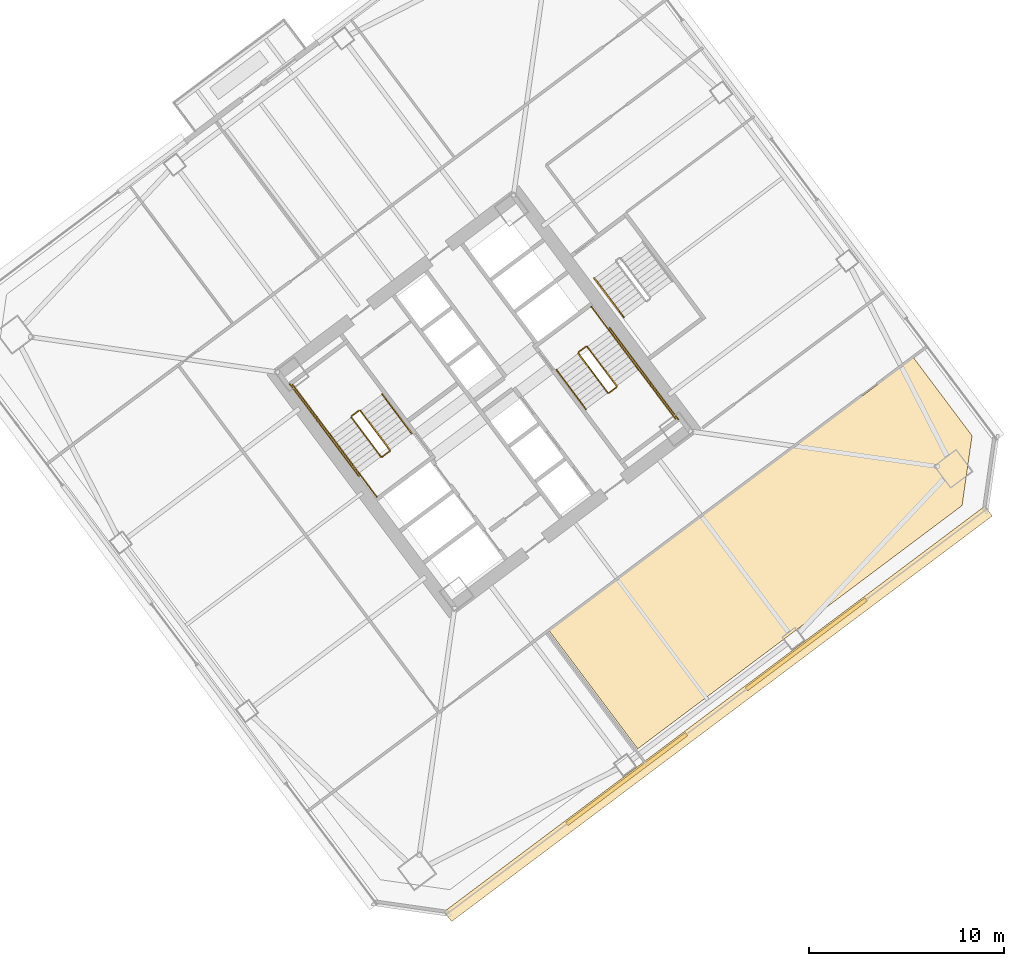
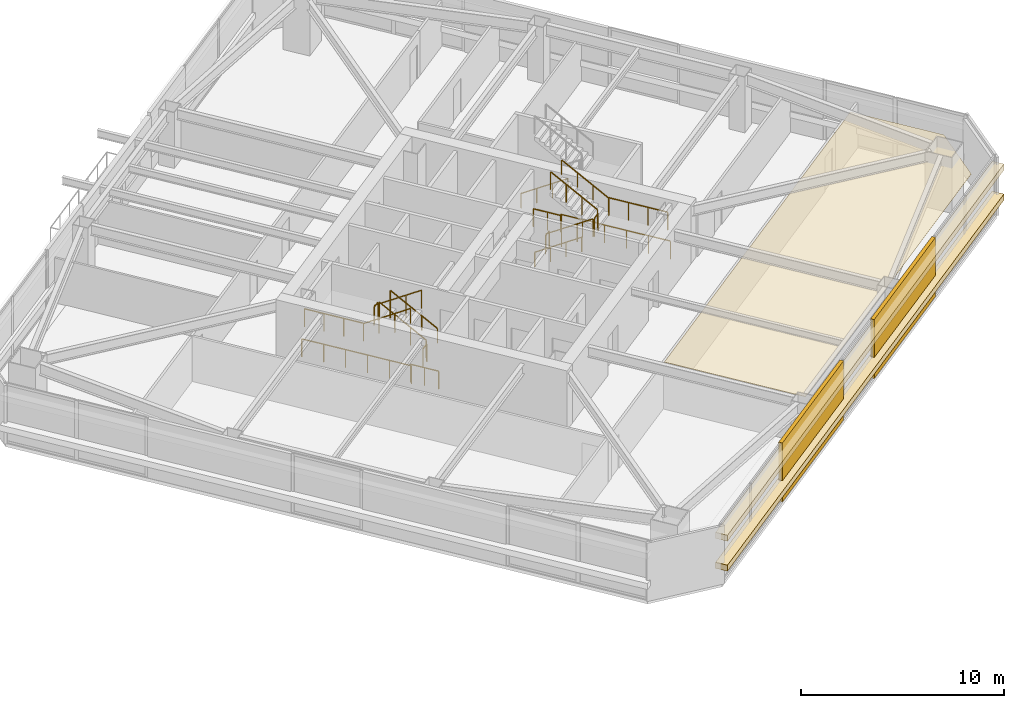
# One storey, part 41 of 44: 19 railings, 5 coverings.
"""IFC4 building model written with IfcOpenShell, lengths in metres."""

import ifcopenshell
import ifcopenshell.guid

model = None  # the IFC model being written
_history = None  # IfcOwnerHistory: only IFC2X3 demands one
_inside = {}  # id of a spatial element -> (the spatial element, [elements in it])
_under = {}  # id of a project, library or spatial element -> (it, [spatial elements below it])
_declared = {}  # id of a project -> (the project, [libraries it declares])
_typed = {}  # id of a type object -> (the type object, [elements of that type])
_made_of = {}  # id of a material, layer set ... -> (it, [elements and type objects made of it])


def new_model(schema):
    """Start an empty IFC model of exactly this schema.

    Asked for "IFC4X3", IfcOpenShell would pick the latest addendum, in which some entities
    have other attributes; the version numbers below select the first issue.
    IFC2X3 requires an IfcOwnerHistory on every rooted entity: one is made here for all.
    """
    global model, _history
    if schema == "IFC4X3":
        model = ifcopenshell.file(schema_version=(4, 3, 0, 0))
    else:
        model = ifcopenshell.file(schema=schema)
    _inside.clear()
    _under.clear()
    _declared.clear()
    _typed.clear()
    _made_of.clear()
    _history = None
    if model.schema == "IFC2X3":
        org = make("IfcOrganization", Name="unknown")
        user = make(
            "IfcPersonAndOrganization",
            ThePerson=make("IfcPerson", FamilyName="unknown"),
            TheOrganization=org,
        )
        app = make(
            "IfcApplication",
            ApplicationDeveloper=org,
            Version="unknown",
            ApplicationFullName="unknown",
            ApplicationIdentifier="unknown",
        )
        _history = make(
            "IfcOwnerHistory",
            OwningUser=user,
            OwningApplication=app,
            ChangeAction="ADDED",
            CreationDate=0,
        )
    return model


def make(cls, **values):
    """One entity of the class cls with the attributes given. An attribute that is None is left unset."""
    return model.create_entity(
        cls, **{name: value for name, value in values.items() if value is not None}
    )


def rooted(cls, **values):
    """An entity with a GlobalId (a new one), such as an element, a storey or a relation."""
    return make(cls, GlobalId=ifcopenshell.guid.new(), OwnerHistory=_history, **values)


def si_unit(unit_type, name, prefix=None):
    """IfcSIUnit, for example si_unit("LENGTHUNIT", "METRE", prefix="MILLI")."""
    return make("IfcSIUnit", UnitType=unit_type, Prefix=prefix, Name=name)


def assignment(units):
    """IfcUnitAssignment: the units of a project."""
    return None if units is None else make("IfcUnitAssignment", Units=units)


def point(xyz):
    """IfcCartesianPoint."""
    return None if xyz is None else make("IfcCartesianPoint", Coordinates=xyz)


def direction(xyz):
    """IfcDirection."""
    return None if xyz is None else make("IfcDirection", DirectionRatios=xyz)


def frame(location, z_axis=None, x_axis=None):
    """IfcAxis2Placement3D, a coordinate frame: its origin and axes. An axis left out is left unset."""
    return make(
        "IfcAxis2Placement3D",
        Location=point(location),
        Axis=direction(z_axis),
        RefDirection=direction(x_axis),
    )


def frame_2d(location, x_axis=None):
    """IfcAxis2Placement2D, a coordinate frame in the plane: its origin and x axis."""
    return make(
        "IfcAxis2Placement2D", Location=point(location), RefDirection=direction(x_axis)
    )


def origin():
    """The frame at (0, 0, 0) with its axes left unset."""
    return frame((0.0, 0.0, 0.0))


def origin_2d():
    """The frame at (0, 0) in the plane with its x axis left unset."""
    return frame_2d((0.0, 0.0))


def place(relative_to, where):
    """IfcLocalPlacement: puts the frame where relative to a parent placement (None: the world)."""
    return make(
        "IfcLocalPlacement", PlacementRelTo=relative_to, RelativePlacement=where
    )


def context(
    kind, dimensions, precision=None, world=None, true_north=None, identifier=None
):
    """IfcGeometricRepresentationContext, for example the 3D "Model" context."""
    return make(
        "IfcGeometricRepresentationContext",
        ContextIdentifier=identifier,
        ContextType=kind,
        CoordinateSpaceDimension=dimensions,
        Precision=precision,
        WorldCoordinateSystem=world,
        TrueNorth=true_north,
    )


def subcontext(parent, identifier, kind, view, scale=None):
    """IfcGeometricRepresentationSubContext, for example "Body" below "Model"."""
    return make(
        "IfcGeometricRepresentationSubContext",
        ContextIdentifier=identifier,
        ContextType=kind,
        ParentContext=parent,
        TargetScale=scale,
        TargetView=view,
    )


def project(units=None, contexts=None):
    """IfcProject with its units and contexts."""
    return rooted(
        "IfcProject",
        Name="project",
        RepresentationContexts=contexts,
        UnitsInContext=assignment(units),
    )


def spatial(cls, under=None, at=None, **own):
    """A site, building, storey or space (cls), placed at a placement, below another one or the project."""
    s = rooted(cls, ObjectPlacement=at, **own)
    if under is not None:
        _under.setdefault(under.id(), (under, []))[1].append(s)
    return s


def polyline(points):
    """IfcPolyline through the points."""
    return make("IfcPolyline", Points=[point(p) for p in points])


def profile(cls, at=None, kind="AREA", **sizes):
    """A parametric profile (cls). Its sizes go by their IFC names, for example OverallWidth=200.0."""
    return make(cls, ProfileType=kind, Position=at, **sizes)


def rectangle(**sizes):
    """IfcRectangleProfileDef."""
    return profile("IfcRectangleProfileDef", **sizes)


def outline(outer, holes=None, kind="AREA"):
    """IfcArbitraryClosedProfileDef: a profile drawn as a closed curve; with holes, ...WithVoids."""
    if holes is None:
        return make("IfcArbitraryClosedProfileDef", ProfileType=kind, OuterCurve=outer)
    return make(
        "IfcArbitraryProfileDefWithVoids",
        ProfileType=kind,
        OuterCurve=outer,
        InnerCurves=holes,
    )


def extrude(swept, where, along, depth):
    """IfcExtrudedAreaSolid: the profile swept, set in the frame where, extruded along a direction by depth."""
    return make(
        "IfcExtrudedAreaSolid",
        SweptArea=swept,
        Position=where,
        ExtrudedDirection=direction(along),
        Depth=depth,
    )


def shape(context_of_items, identifier, shape_type, items):
    """IfcShapeRepresentation: the items that make up one representation, for example the "Body"."""
    return make(
        "IfcShapeRepresentation",
        ContextOfItems=context_of_items,
        RepresentationIdentifier=identifier,
        RepresentationType=shape_type,
        Items=items,
    )


def material(Name=None, Category=None):
    """IfcMaterial."""
    return make("IfcMaterial", Name=Name, Category=Category)


def layer(
    of_material, thickness, ventilated=None, Name=None, Category=None, Priority=None
):
    """IfcMaterialLayer: one layer of a wall or slab, of a material (None: an air gap)."""
    return make(
        "IfcMaterialLayer",
        Material=of_material,
        LayerThickness=thickness,
        IsVentilated=ventilated,
        Name=Name,
        Category=Category,
        Priority=Priority,
    )


def layer_set(layers, Name=None):
    """IfcMaterialLayerSet."""
    return make("IfcMaterialLayerSet", MaterialLayers=layers, LayerSetName=Name)


def made_of(thing, what):
    """Note that an element or type object is made of a material, layer set ...; save() writes the relation."""
    if what is not None:
        _made_of.setdefault(what.id(), (what, []))[1].append(thing)
    return thing


def type_object(cls, material=None, **own):
    """A type object (cls), such as IfcWallType, which elements share."""
    return made_of(rooted(cls, **own), material)


def element(
    cls,
    number,
    at=None,
    inside=None,
    cuts=None,
    type_object=None,
    material=None,
    context=None,
    identifier="Body",
    shape_type=None,
    held_by="IfcProductDefinitionShape",
    body=None,
    shapes=None,
    **own,
):
    """One element of the class cls, such as IfcWall. Its Tag is "e" and its number.

    at: its placement. inside: the storey or other place that contains it. cuts: it is an
    opening in that element (IfcRelVoidsElement). A single representation is given by context,
    identifier, shape_type and body (its items); several are given by shapes. held_by: the class
    of the entity that holds the representations. save() writes the other relations.
    """
    e = rooted(cls, Tag="e%d" % number, ObjectPlacement=at, **own)
    if body is not None:
        shapes = [shape(context, identifier, shape_type, body)]
    if shapes is not None:
        e.Representation = make(held_by, Representations=shapes)
    if inside is not None:
        _inside.setdefault(inside.id(), (inside, []))[1].append(e)
    if cuts is not None:
        rooted(
            "IfcRelVoidsElement", RelatingBuildingElement=cuts, RelatedOpeningElement=e
        )
    if type_object is not None:
        _typed.setdefault(type_object.id(), (type_object, []))[1].append(e)
    return made_of(e, material)


def aggregate(whole, parts):
    """IfcRelAggregates: a whole, such as a stair, and the parts it consists of."""
    return rooted("IfcRelAggregates", RelatingObject=whole, RelatedObjects=parts)


def save(model, path):
    """Write the relations noted so far, then the file.

    IfcRelAggregates (storeys below a building ...), IfcRelContainedInSpatialStructure (elements
    in a storey), IfcRelDefinesByType, IfcRelAssociatesMaterial and IfcRelDeclares: one each for
    every whole, place, type object, material and project.
    """
    for whole, parts in _under.values():
        aggregate(whole, parts)
    for where, things in _inside.values():
        rooted(
            "IfcRelContainedInSpatialStructure",
            RelatedElements=things,
            RelatingStructure=where,
        )
    for kind, things in _typed.values():
        rooted("IfcRelDefinesByType", RelatedObjects=things, RelatingType=kind)
    for what, things in _made_of.values():
        rooted("IfcRelAssociatesMaterial", RelatedObjects=things, RelatingMaterial=what)
    for by, libraries in _declared.values():
        rooted("IfcRelDeclares", RelatingContext=by, RelatedDefinitions=libraries)
    model.write(path)


model = new_model("IFC4")

# Units and contexts
model_context = context("Model", 3, precision=1e-05, world=origin(), true_north=direction((0.0, 1.0)))
body_context = subcontext(model_context, "Body", "Model", "MODEL_VIEW")
ifc_project = project(units=[si_unit("LENGTHUNIT", "METRE"), si_unit("AREAUNIT", "SQUARE_METRE"), si_unit("VOLUMEUNIT", "CUBIC_METRE"), si_unit("PLANEANGLEUNIT", "RADIAN"), si_unit("MASSUNIT", "GRAM", prefix="KILO")], contexts=[model_context])

# Site, building, storey
site_placement = place(None, origin())
site = spatial("IfcSite", under=ifc_project, at=site_placement, CompositionType="ELEMENT")
building_placement = place(site_placement, origin())
building = spatial("IfcBuilding", under=site, at=building_placement, Name="Tashvorn Skyway Center", CompositionType="ELEMENT")
storey_placement = place(building_placement, frame((0.0, 0.0, 92.050048828125)))
storey = spatial("IfcBuildingStorey", under=building, at=storey_placement, Name="L24", CompositionType="ELEMENT", Elevation=92.050048828125)

# Coverings
ifc_material_1 = material(Name="Precast concrete C40/50", Category="concrete")
ifc_layer_1 = layer(ifc_material_1, 0.199951171875)
ifc_layer_set_1 = layer_set([ifc_layer_1], Name="Precast concrete C40/50")
covering_type_1 = type_object("IfcCoveringType", Name="COV-BRACE-CLAD", PredefinedType="CLADDING", material=ifc_layer_set_1)
for number, where, z_axis, x_axis, name in (
    (1, (130.535888671875, 19.552001953125, 0.0), (0.0, 0.0, 1.0), (-0.799999996291, -0.600000004945, 0.0), "Tower 2 L24 South Unitised Curtain Wall Mega-Brace Cladding Band 1"),
    (2, (121.320068359375, 12.639892578125, 0.0), (0.0, 0.0, 1.0), (-0.799999996291, -0.600000004945, 0.0), "Tower 2 L24 South Unitised Curtain Wall Mega-Brace Cladding Band 2"),
):
    element("IfcCovering", number, at=place(storey_placement, frame(where, z_axis=z_axis, x_axis=x_axis)), inside=storey, type_object=covering_type_1, Name=name, PredefinedType="CLADDING", context=body_context, shape_type="SweptSolid", body=[
        extrude(rectangle(XDim=7.679931640625, YDim=0.199951171875, at=origin_2d()), origin(), (0.0, 0.0, 1.0), 3.550048828125),
    ])
ifc_material_2 = material(Name="Mineral-fibre acoustic ceiling tile on suspended grid")
ifc_layer_2 = layer(ifc_material_2, 0.02001953125)
ifc_layer_set_2 = layer_set([ifc_layer_2], Name="Mineral-fibre acoustic ceiling tile on suspended grid")
covering_type_2 = type_object("IfcCoveringType", Name="COV-CEIL-20", PredefinedType="CEILING", material=ifc_layer_set_2)
covering_placement = place(storey_placement, frame((0.0, 0.0, 2.682861328125)))
element("IfcCovering", 3, at=covering_placement, inside=storey, type_object=covering_type_2, Name="Tower 2 L24 Catering Pantry Acoustic Ceiling", PredefinedType="CEILING", context=body_context, shape_type="SweptSolid", body=[
    extrude(outline(polyline([(121.884033203125, 14.18798828125), (117.342041015625, 20.243896484375), (136.030029296875, 34.260009765625), (139.035888671875, 30.251953125), (138.52392578125, 26.66796875), (121.884033203125, 14.18798828125)])), origin(), (0.0, 0.0, 1.0), 0.02001953125),
])
ifc_material_3 = material(Name="Perforated ceramic-coated bronze aluminium solar screen", Category="aluminium")
ifc_layer_3 = layer(ifc_material_3, 0.85009765625)
ifc_layer_set_3 = layer_set([ifc_layer_3], Name="Perforated ceramic-coated bronze aluminium solar screen")
covering_type_3 = type_object("IfcCoveringType", Name="COV-SOLAR-BAND", PredefinedType="CLADDING", material=ifc_layer_set_3)
for number, where, z_axis, x_axis, name in (
    (4, (126.011962890625, 15.98388671875, 0.919921875), (0.0, 0.0, 1.0), (-0.799999996291, -0.600000004945, 0.0), "L24 Perforated Ceramic-Metal Solar Screen Louvre Band South 1"),
    (5, (126.011962890625, 15.98388671875, 2.7197265625), (0.0, 0.0, 1.0), (-0.799999996291, -0.600000004945, 0.0), "L24 Perforated Ceramic-Metal Solar Screen Louvre Band South 2"),
):
    element("IfcCovering", number, at=place(storey_placement, frame(where, z_axis=z_axis, x_axis=x_axis)), inside=storey, type_object=covering_type_3, Name=name, PredefinedType="CLADDING", context=body_context, shape_type="SweptSolid", body=[
        extrude(rectangle(XDim=34.679931640625, YDim=0.639892578125, at=origin_2d()), origin(), (0.0, 0.0, 1.0), 0.360107421875),
    ])

# Railings
ifc_material_4 = material(Name="Brushed stainless steel 316", Category="steel")
railing_type_1 = type_object("IfcRailingType", Name="RAIL-HAND-920", PredefinedType="HANDRAIL", material=ifc_material_4)
railing_1_placement = place(storey_placement, frame((110.2880859375, 30.365966796875, 0.177490234375)))
element("IfcRailing", 6, at=railing_1_placement, inside=storey, type_object=railing_type_1, Name="L24 ST-T2-1 stair handrail 1", PredefinedType="HANDRAIL", context=body_context, shape_type="SweptSolid", body=[
    extrude(rectangle(XDim=0.048095703125, YDim=0.048095703125, at=origin_2d()), frame((0.0, 0.0, 0.8759765625), z_axis=(-0.506801609611, 0.675680931896, 0.535357270211), x_axis=(-0.799976749893, -0.600030998891, 0.0)), (0.0, 0.0, 1.0), 2.98388671875),
    extrude(rectangle(XDim=0.0419921875, YDim=0.0419921875, at=origin_2d()), origin(), (0.0, 0.0, 1.0), 0.851806640625),
    extrude(rectangle(XDim=0.0419921875, YDim=0.0419921875, at=origin_2d()), frame((-0.504150390625, 0.672119140625, 0.532470703125)), (0.0, 0.0, 1.0), 0.851806640625),
    extrude(rectangle(XDim=0.0419921875, YDim=0.0419921875, at=origin_2d()), frame((-1.008056640625, 1.343994140625, 1.06494140625)), (0.0, 0.0, 1.0), 0.851806640625),
    extrude(rectangle(XDim=0.0419921875, YDim=0.0419921875, at=origin_2d()), frame((-1.51220703125, 2.01611328125, 1.597412109375)), (0.0, 0.0, 1.0), 0.851806640625),
])
railing_2_placement = place(storey_placement, frame((106.072021484375, 30.35400390625, 1.952392578125)))
element("IfcRailing", 7, at=railing_2_placement, inside=storey, type_object=railing_type_1, Name="L24 ST-T2-1 stair handrail 2", PredefinedType="HANDRAIL", context=body_context, shape_type="SweptSolid", body=[
    extrude(rectangle(XDim=0.048095703125, YDim=0.048095703125, at=origin_2d()), frame((0.0, 0.0, 0.8759765625), z_axis=(0.506718600913, -0.675679348675, 0.535437836974), x_axis=(0.800023250257, 0.599968998406, 0.0)), (0.0, 0.0, 1.0), 2.98388671875),
    extrude(rectangle(XDim=0.0419921875, YDim=0.0419921875, at=origin_2d()), origin(), (0.0, 0.0, 1.0), 0.851806640625),
    extrude(rectangle(XDim=0.0419921875, YDim=0.0419921875, at=origin_2d()), frame((0.50390625, -0.672119140625, 0.532470703125)), (0.0, 0.0, 1.0), 0.851806640625),
    extrude(rectangle(XDim=0.0419921875, YDim=0.0419921875, at=origin_2d()), frame((1.008056640625, -1.343994140625, 1.065185546875)), (0.0, 0.0, 1.0), 0.851806640625),
    extrude(rectangle(XDim=0.0419921875, YDim=0.0419921875, at=origin_2d()), frame((1.511962890625, -2.01611328125, 1.59765625)), (0.0, 0.0, 1.0), 0.851806640625),
])
railing_3_placement = place(storey_placement, frame((117.7119140625, 33.634033203125, 0.177490234375)))
element("IfcRailing", 8, at=railing_3_placement, inside=storey, type_object=railing_type_1, Name="L24 ST-T2-2 stair handrail 1", PredefinedType="HANDRAIL", context=body_context, shape_type="SweptSolid", body=[
    extrude(rectangle(XDim=0.048095703125, YDim=0.048095703125, at=origin_2d()), frame((0.0, 0.0, 0.8759765625), z_axis=(0.506801609611, -0.675680931896, 0.535357270211), x_axis=(0.799976749893, 0.600030998891, 0.0)), (0.0, 0.0, 1.0), 2.98388671875),
    extrude(rectangle(XDim=0.0419921875, YDim=0.0419921875, at=origin_2d()), origin(), (0.0, 0.0, 1.0), 0.851806640625),
    extrude(rectangle(XDim=0.0419921875, YDim=0.0419921875, at=origin_2d()), frame((0.504150390625, -0.672119140625, 0.532470703125)), (0.0, 0.0, 1.0), 0.851806640625),
    extrude(rectangle(XDim=0.0419921875, YDim=0.0419921875, at=origin_2d()), frame((1.008056640625, -1.343994140625, 1.06494140625)), (0.0, 0.0, 1.0), 0.851806640625),
    extrude(rectangle(XDim=0.0419921875, YDim=0.0419921875, at=origin_2d()), frame((1.51220703125, -2.01611328125, 1.597412109375)), (0.0, 0.0, 1.0), 0.851806640625),
])
railing_4_placement = place(storey_placement, frame((121.927978515625, 33.64599609375, 1.952392578125)))
element("IfcRailing", 9, at=railing_4_placement, inside=storey, type_object=railing_type_1, Name="L24 ST-T2-2 stair handrail 2", PredefinedType="HANDRAIL", context=body_context, shape_type="SweptSolid", body=[
    extrude(rectangle(XDim=0.048095703125, YDim=0.048095703125, at=origin_2d()), frame((0.0, 0.0, 0.8759765625), z_axis=(-0.506718600913, 0.675679348675, 0.535437836974), x_axis=(-0.800023250257, -0.599968998406, 0.0)), (0.0, 0.0, 1.0), 2.98388671875),
    extrude(rectangle(XDim=0.0419921875, YDim=0.0419921875, at=origin_2d()), origin(), (0.0, 0.0, 1.0), 0.851806640625),
    extrude(rectangle(XDim=0.0419921875, YDim=0.0419921875, at=origin_2d()), frame((-0.50390625, 0.672119140625, 0.532470703125)), (0.0, 0.0, 1.0), 0.851806640625),
    extrude(rectangle(XDim=0.0419921875, YDim=0.0419921875, at=origin_2d()), frame((-1.008056640625, 1.343994140625, 1.065185546875)), (0.0, 0.0, 1.0), 0.851806640625),
    extrude(rectangle(XDim=0.0419921875, YDim=0.0419921875, at=origin_2d()), frame((-1.511962890625, 2.01611328125, 1.59765625)), (0.0, 0.0, 1.0), 0.851806640625),
])
railing_5_placement = place(storey_placement, frame((119.656005859375, 38.342041015625, 0.177490234375)))
element("IfcRailing", 10, at=railing_5_placement, inside=storey, type_object=railing_type_1, Name="L24 ST-T2-3 stair handrail 1", PredefinedType="HANDRAIL", context=body_context, shape_type="SweptSolid", body=[
    extrude(rectangle(XDim=0.048095703125, YDim=0.048095703125, at=origin_2d()), frame((0.0, 0.0, 0.8759765625), z_axis=(0.506740800098, -0.675708949977, 0.535379469569), x_axis=(0.800023250257, 0.599968998406, 0.0)), (0.0, 0.0, 1.0), 2.983642578125),
    extrude(rectangle(XDim=0.0419921875, YDim=0.0419921875, at=origin_2d()), origin(), (0.0, 0.0, 1.0), 0.851806640625),
    extrude(rectangle(XDim=0.0419921875, YDim=0.0419921875, at=origin_2d()), frame((0.50390625, -0.672119140625, 0.532470703125)), (0.0, 0.0, 1.0), 0.851806640625),
    extrude(rectangle(XDim=0.0419921875, YDim=0.0419921875, at=origin_2d()), frame((1.008056640625, -1.343994140625, 1.06494140625)), (0.0, 0.0, 1.0), 0.851806640625),
    extrude(rectangle(XDim=0.0419921875, YDim=0.0419921875, at=origin_2d()), frame((1.511962890625, -2.01611328125, 1.597412109375)), (0.0, 0.0, 1.0), 0.851806640625),
])
ifc_material_5 = material(Name="Painted galvanized steel S355", Category="steel")
railing_type_2 = type_object("IfcRailingType", Name="RAIL-STGUARD-1100", PredefinedType="GUARDRAIL", material=ifc_material_5)
railing_6_placement = place(storey_placement, frame((109.16796875, 29.52587890625, 0.177490234375)))
element("IfcRailing", 11, at=railing_6_placement, inside=storey, type_object=railing_type_2, Name="L24 ST-T2-1 stair guard 1", PredefinedType="GUARDRAIL", context=body_context, shape_type="SweptSolid", body=[
    extrude(rectangle(XDim=0.048095703125, YDim=0.048095703125, at=origin_2d()), frame((0.0, 0.0, 1.076171875), z_axis=(-0.506740800098, 0.675708949977, 0.535379469569), x_axis=(-0.800023250257, -0.599968998406, 0.0)), (0.0, 0.0, 1.0), 2.983642578125),
    extrude(rectangle(XDim=0.0419921875, YDim=0.0419921875, at=origin_2d()), origin(), (0.0, 0.0, 1.0), 1.052001953125),
    extrude(rectangle(XDim=0.0419921875, YDim=0.0419921875, at=origin_2d()), frame((-0.50390625, 0.672119140625, 0.532470703125)), (0.0, 0.0, 1.0), 1.052001953125),
    extrude(rectangle(XDim=0.0419921875, YDim=0.0419921875, at=origin_2d()), frame((-1.008056640625, 1.343994140625, 1.06494140625)), (0.0, 0.0, 1.0), 1.052001953125),
    extrude(rectangle(XDim=0.0419921875, YDim=0.0419921875, at=origin_2d()), frame((-1.511962890625, 2.01611328125, 1.597412109375)), (0.0, 0.0, 1.0), 1.052001953125),
])
railing_7_placement = place(storey_placement, frame((107.5859375, 31.552001953125, 1.77490234375)))
element("IfcRailing", 12, at=railing_7_placement, inside=storey, type_object=railing_type_2, Name="L24 ST-T2-1 stair guard 2", PredefinedType="GUARDRAIL", context=body_context, shape_type="SweptSolid", body=[
    extrude(rectangle(XDim=0.048095703125, YDim=0.048095703125, at=origin_2d()), frame((0.0, 0.0, 1.076171875), z_axis=(-0.799938970639, -0.600081363861, 0.0), x_axis=(0.600081363861, -0.799938970639, 0.0)), (0.0, 0.0, 1.0), 0.47998046875),
    extrude(rectangle(XDim=0.0419921875, YDim=0.0419921875, at=origin_2d()), origin(), (0.0, 0.0, 1.0), 1.052001953125),
    extrude(rectangle(XDim=0.0419921875, YDim=0.0419921875, at=origin_2d()), frame((-0.384033203125, -0.2880859375, 0.0)), (0.0, 0.0, 1.0), 1.052001953125),
])
railing_8_placement = place(storey_placement, frame((106.072021484375, 30.35400390625, 1.77490234375)))
element("IfcRailing", 13, at=railing_8_placement, inside=storey, type_object=railing_type_2, Name="L24 ST-T2-1 stair guard 3", PredefinedType="GUARDRAIL", context=body_context, shape_type="SweptSolid", body=[
    extrude(rectangle(XDim=0.048095703125, YDim=0.048095703125, at=origin_2d()), frame((0.0, 0.0, 1.076171875), z_axis=(-0.599987638607, 0.800009270896, 0.0), x_axis=(-0.800009270896, -0.599987638607, 0.0)), (0.0, 0.0, 1.0), 3.16015625),
    extrude(rectangle(XDim=0.0419921875, YDim=0.0419921875, at=origin_2d()), origin(), (0.0, 0.0, 1.0), 1.052001953125),
    extrude(rectangle(XDim=0.0419921875, YDim=0.0419921875, at=origin_2d()), frame((-0.632080078125, 0.8427734375, 0.0)), (0.0, 0.0, 1.0), 1.052001953125),
    extrude(rectangle(XDim=0.0419921875, YDim=0.0419921875, at=origin_2d()), frame((-1.263916015625, 1.685302734375, 0.0)), (0.0, 0.0, 1.0), 1.052001953125),
    extrude(rectangle(XDim=0.0419921875, YDim=0.0419921875, at=origin_2d()), frame((-1.89599609375, 2.528076171875, 0.0)), (0.0, 0.0, 1.0), 1.052001953125),
])
railing_9_placement = place(storey_placement, frame((107.19189453125, 31.194091796875, 1.952392578125)))
element("IfcRailing", 14, at=railing_9_placement, inside=storey, type_object=railing_type_2, Name="L24 ST-T2-1 stair guard 4", PredefinedType="GUARDRAIL", context=body_context, shape_type="SweptSolid", body=[
    extrude(rectangle(XDim=0.048095703125, YDim=0.048095703125, at=origin_2d()), frame((0.0, 0.0, 1.076171875), z_axis=(0.506779409603, -0.675651334276, 0.53541563714), x_axis=(0.799976749893, 0.600030998891, 0.0)), (0.0, 0.0, 1.0), 2.98388671875),
    extrude(rectangle(XDim=0.0419921875, YDim=0.0419921875, at=origin_2d()), origin(), (0.0, 0.0, 1.0), 1.052001953125),
    extrude(rectangle(XDim=0.0419921875, YDim=0.0419921875, at=origin_2d()), frame((0.504150390625, -0.672119140625, 0.532470703125)), (0.0, 0.0, 1.0), 1.052001953125),
    extrude(rectangle(XDim=0.0419921875, YDim=0.0419921875, at=origin_2d()), frame((1.008056640625, -1.343994140625, 1.065185546875)), (0.0, 0.0, 1.0), 1.052001953125),
    extrude(rectangle(XDim=0.0419921875, YDim=0.0419921875, at=origin_2d()), frame((1.51220703125, -2.01611328125, 1.59765625)), (0.0, 0.0, 1.0), 1.052001953125),
])
railing_10_placement = place(storey_placement, frame((109.157958984375, 29.4560546875, 0.0)))
element("IfcRailing", 15, at=railing_10_placement, inside=storey, type_object=railing_type_2, Name="L24 ST-T2-1 stair guard 5", PredefinedType="GUARDRAIL", context=body_context, shape_type="SweptSolid", body=[
    extrude(rectangle(XDim=0.048095703125, YDim=0.048095703125, at=origin_2d()), frame((0.0, 0.0, 1.076171875), z_axis=(-0.799938970639, -0.600081363861, 0.0), x_axis=(0.600081363861, -0.799938970639, 0.0)), (0.0, 0.0, 1.0), 0.47998046875),
    extrude(rectangle(XDim=0.0419921875, YDim=0.0419921875, at=origin_2d()), origin(), (0.0, 0.0, 1.0), 1.052001953125),
    extrude(rectangle(XDim=0.0419921875, YDim=0.0419921875, at=origin_2d()), frame((-0.384033203125, -0.2880859375, 0.0)), (0.0, 0.0, 1.0), 1.052001953125),
])
railing_11_placement = place(storey_placement, frame((108.49609375, 27.1220703125, 0.0)))
element("IfcRailing", 16, at=railing_11_placement, inside=storey, type_object=railing_type_2, Name="L24 ST-T2-1 stair guard 6", PredefinedType="GUARDRAIL", context=body_context, shape_type="SweptSolid", body=[
    extrude(rectangle(XDim=0.048095703125, YDim=0.048095703125, at=origin_2d()), frame((0.0, 0.0, 1.076171875), z_axis=(-0.600102796382, 0.799922892393, 0.0), x_axis=(-0.799922892393, -0.600102796382, 0.0)), (0.0, 0.0, 1.0), 1.52001953125),
    extrude(rectangle(XDim=0.0419921875, YDim=0.0419921875, at=origin_2d()), origin(), (0.0, 0.0, 1.0), 1.052001953125),
    extrude(rectangle(XDim=0.0419921875, YDim=0.0419921875, at=origin_2d()), frame((-0.4560546875, 0.60791015625, 0.0)), (0.0, 0.0, 1.0), 1.052001953125),
    extrude(rectangle(XDim=0.0419921875, YDim=0.0419921875, at=origin_2d()), frame((-0.912109375, 1.2158203125, 0.0)), (0.0, 0.0, 1.0), 1.052001953125),
])
railing_12_placement = place(storey_placement, frame((107.56396484375, 28.197998046875, 0.0)))
element("IfcRailing", 17, at=railing_12_placement, inside=storey, type_object=railing_type_2, Name="L24 ST-T2-1 stair guard 7", PredefinedType="GUARDRAIL", context=body_context, shape_type="SweptSolid", body=[
    extrude(rectangle(XDim=0.048095703125, YDim=0.048095703125, at=origin_2d()), frame((0.0, 0.0, 1.076171875), z_axis=(-0.6, 0.8, 0.0), x_axis=(-0.8, -0.6, 0.0)), (0.0, 0.0, 1.0), 5.880126953125),
    extrude(rectangle(XDim=0.0419921875, YDim=0.0419921875, at=origin_2d()), origin(), (0.0, 0.0, 1.0), 1.052001953125),
    extrude(rectangle(XDim=0.0419921875, YDim=0.0419921875, at=origin_2d()), frame((-0.70556640625, 0.94091796875, 0.0)), (0.0, 0.0, 1.0), 1.052001953125),
    extrude(rectangle(XDim=0.0419921875, YDim=0.0419921875, at=origin_2d()), frame((-1.4111328125, 1.881591796875, 0.0)), (0.0, 0.0, 1.0), 1.052001953125),
    extrude(rectangle(XDim=0.0419921875, YDim=0.0419921875, at=origin_2d()), frame((-2.116943359375, 2.822509765625, 0.0)), (0.0, 0.0, 1.0), 1.052001953125),
    extrude(rectangle(XDim=0.0419921875, YDim=0.0419921875, at=origin_2d()), frame((-2.822509765625, 3.76318359375, 0.0)), (0.0, 0.0, 1.0), 1.052001953125),
    extrude(rectangle(XDim=0.0419921875, YDim=0.0419921875, at=origin_2d()), frame((-3.528076171875, 4.7041015625, 0.0)), (0.0, 0.0, 1.0), 1.052001953125),
])
railing_13_placement = place(storey_placement, frame((118.83203125, 34.47412109375, 0.177490234375)))
element("IfcRailing", 18, at=railing_13_placement, inside=storey, type_object=railing_type_2, Name="L24 ST-T2-2 stair guard 1", PredefinedType="GUARDRAIL", context=body_context, shape_type="SweptSolid", body=[
    extrude(rectangle(XDim=0.048095703125, YDim=0.048095703125, at=origin_2d()), frame((0.0, 0.0, 1.076171875), z_axis=(0.506740800098, -0.675708949977, 0.535379469569), x_axis=(0.800023250257, 0.599968998406, 0.0)), (0.0, 0.0, 1.0), 2.983642578125),
    extrude(rectangle(XDim=0.0419921875, YDim=0.0419921875, at=origin_2d()), origin(), (0.0, 0.0, 1.0), 1.052001953125),
    extrude(rectangle(XDim=0.0419921875, YDim=0.0419921875, at=origin_2d()), frame((0.50390625, -0.672119140625, 0.532470703125)), (0.0, 0.0, 1.0), 1.052001953125),
    extrude(rectangle(XDim=0.0419921875, YDim=0.0419921875, at=origin_2d()), frame((1.008056640625, -1.343994140625, 1.06494140625)), (0.0, 0.0, 1.0), 1.052001953125),
    extrude(rectangle(XDim=0.0419921875, YDim=0.0419921875, at=origin_2d()), frame((1.511962890625, -2.01611328125, 1.597412109375)), (0.0, 0.0, 1.0), 1.052001953125),
])
railing_14_placement = place(storey_placement, frame((120.4140625, 32.447998046875, 1.77490234375)))
element("IfcRailing", 19, at=railing_14_placement, inside=storey, type_object=railing_type_2, Name="L24 ST-T2-2 stair guard 2", PredefinedType="GUARDRAIL", context=body_context, shape_type="SweptSolid", body=[
    extrude(rectangle(XDim=0.048095703125, YDim=0.048095703125, at=origin_2d()), frame((0.0, 0.0, 1.076171875), z_axis=(0.799938970639, 0.600081363861, 0.0), x_axis=(-0.600081363861, 0.799938970639, 0.0)), (0.0, 0.0, 1.0), 0.47998046875),
    extrude(rectangle(XDim=0.0419921875, YDim=0.0419921875, at=origin_2d()), origin(), (0.0, 0.0, 1.0), 1.052001953125),
    extrude(rectangle(XDim=0.0419921875, YDim=0.0419921875, at=origin_2d()), frame((0.384033203125, 0.2880859375, 0.0)), (0.0, 0.0, 1.0), 1.052001953125),
])
railing_15_placement = place(storey_placement, frame((121.927978515625, 33.64599609375, 1.77490234375)))
element("IfcRailing", 20, at=railing_15_placement, inside=storey, type_object=railing_type_2, Name="L24 ST-T2-2 stair guard 3", PredefinedType="GUARDRAIL", context=body_context, shape_type="SweptSolid", body=[
    extrude(rectangle(XDim=0.048095703125, YDim=0.048095703125, at=origin_2d()), frame((0.0, 0.0, 1.076171875), z_axis=(0.599987638607, -0.800009270896, 0.0), x_axis=(0.800009270896, 0.599987638607, 0.0)), (0.0, 0.0, 1.0), 3.16015625),
    extrude(rectangle(XDim=0.0419921875, YDim=0.0419921875, at=origin_2d()), origin(), (0.0, 0.0, 1.0), 1.052001953125),
    extrude(rectangle(XDim=0.0419921875, YDim=0.0419921875, at=origin_2d()), frame((0.632080078125, -0.8427734375, 0.0)), (0.0, 0.0, 1.0), 1.052001953125),
    extrude(rectangle(XDim=0.0419921875, YDim=0.0419921875, at=origin_2d()), frame((1.263916015625, -1.685302734375, 0.0)), (0.0, 0.0, 1.0), 1.052001953125),
    extrude(rectangle(XDim=0.0419921875, YDim=0.0419921875, at=origin_2d()), frame((1.89599609375, -2.528076171875, 0.0)), (0.0, 0.0, 1.0), 1.052001953125),
])
railing_16_placement = place(storey_placement, frame((120.80810546875, 32.805908203125, 1.952392578125)))
element("IfcRailing", 21, at=railing_16_placement, inside=storey, type_object=railing_type_2, Name="L24 ST-T2-2 stair guard 4", PredefinedType="GUARDRAIL", context=body_context, shape_type="SweptSolid", body=[
    extrude(rectangle(XDim=0.048095703125, YDim=0.048095703125, at=origin_2d()), frame((0.0, 0.0, 1.076171875), z_axis=(-0.506779409603, 0.675651334276, 0.53541563714), x_axis=(-0.799976749893, -0.600030998891, 0.0)), (0.0, 0.0, 1.0), 2.98388671875),
    extrude(rectangle(XDim=0.0419921875, YDim=0.0419921875, at=origin_2d()), origin(), (0.0, 0.0, 1.0), 1.052001953125),
    extrude(rectangle(XDim=0.0419921875, YDim=0.0419921875, at=origin_2d()), frame((-0.504150390625, 0.672119140625, 0.532470703125)), (0.0, 0.0, 1.0), 1.052001953125),
    extrude(rectangle(XDim=0.0419921875, YDim=0.0419921875, at=origin_2d()), frame((-1.008056640625, 1.343994140625, 1.065185546875)), (0.0, 0.0, 1.0), 1.052001953125),
    extrude(rectangle(XDim=0.0419921875, YDim=0.0419921875, at=origin_2d()), frame((-1.51220703125, 2.01611328125, 1.59765625)), (0.0, 0.0, 1.0), 1.052001953125),
])
railing_17_placement = place(storey_placement, frame((118.842041015625, 34.5439453125, 0.0)))
element("IfcRailing", 22, at=railing_17_placement, inside=storey, type_object=railing_type_2, Name="L24 ST-T2-2 stair guard 5", PredefinedType="GUARDRAIL", context=body_context, shape_type="SweptSolid", body=[
    extrude(rectangle(XDim=0.048095703125, YDim=0.048095703125, at=origin_2d()), frame((0.0, 0.0, 1.076171875), z_axis=(0.799938970639, 0.600081363861, 0.0), x_axis=(-0.600081363861, 0.799938970639, 0.0)), (0.0, 0.0, 1.0), 0.47998046875),
    extrude(rectangle(XDim=0.0419921875, YDim=0.0419921875, at=origin_2d()), origin(), (0.0, 0.0, 1.0), 1.052001953125),
    extrude(rectangle(XDim=0.0419921875, YDim=0.0419921875, at=origin_2d()), frame((0.384033203125, 0.2880859375, 0.0)), (0.0, 0.0, 1.0), 1.052001953125),
])
railing_18_placement = place(storey_placement, frame((119.50390625, 36.8779296875, 0.0)))
element("IfcRailing", 23, at=railing_18_placement, inside=storey, type_object=railing_type_2, Name="L24 ST-T2-2 stair guard 6", PredefinedType="GUARDRAIL", context=body_context, shape_type="SweptSolid", body=[
    extrude(rectangle(XDim=0.048095703125, YDim=0.048095703125, at=origin_2d()), frame((0.0, 0.0, 1.076171875), z_axis=(0.600102796382, -0.799922892393, 0.0), x_axis=(0.799922892393, 0.600102796382, 0.0)), (0.0, 0.0, 1.0), 1.52001953125),
    extrude(rectangle(XDim=0.0419921875, YDim=0.0419921875, at=origin_2d()), origin(), (0.0, 0.0, 1.0), 1.052001953125),
    extrude(rectangle(XDim=0.0419921875, YDim=0.0419921875, at=origin_2d()), frame((0.4560546875, -0.60791015625, 0.0)), (0.0, 0.0, 1.0), 1.052001953125),
    extrude(rectangle(XDim=0.0419921875, YDim=0.0419921875, at=origin_2d()), frame((0.912109375, -1.2158203125, 0.0)), (0.0, 0.0, 1.0), 1.052001953125),
])
railing_19_placement = place(storey_placement, frame((120.43603515625, 35.802001953125, 0.0)))
element("IfcRailing", 24, at=railing_19_placement, inside=storey, type_object=railing_type_2, Name="L24 ST-T2-2 stair guard 7", PredefinedType="GUARDRAIL", context=body_context, shape_type="SweptSolid", body=[
    extrude(rectangle(XDim=0.048095703125, YDim=0.048095703125, at=origin_2d()), frame((0.0, 0.0, 1.076171875), z_axis=(0.6, -0.8, 0.0), x_axis=(0.8, 0.6, 0.0)), (0.0, 0.0, 1.0), 5.880126953125),
    extrude(rectangle(XDim=0.0419921875, YDim=0.0419921875, at=origin_2d()), origin(), (0.0, 0.0, 1.0), 1.052001953125),
    extrude(rectangle(XDim=0.0419921875, YDim=0.0419921875, at=origin_2d()), frame((0.70556640625, -0.94091796875, 0.0)), (0.0, 0.0, 1.0), 1.052001953125),
    extrude(rectangle(XDim=0.0419921875, YDim=0.0419921875, at=origin_2d()), frame((1.4111328125, -1.881591796875, 0.0)), (0.0, 0.0, 1.0), 1.052001953125),
    extrude(rectangle(XDim=0.0419921875, YDim=0.0419921875, at=origin_2d()), frame((2.116943359375, -2.822509765625, 0.0)), (0.0, 0.0, 1.0), 1.052001953125),
    extrude(rectangle(XDim=0.0419921875, YDim=0.0419921875, at=origin_2d()), frame((2.822509765625, -3.76318359375, 0.0)), (0.0, 0.0, 1.0), 1.052001953125),
    extrude(rectangle(XDim=0.0419921875, YDim=0.0419921875, at=origin_2d()), frame((3.528076171875, -4.7041015625, 0.0)), (0.0, 0.0, 1.0), 1.052001953125),
])

save(model, "model.ifc")
